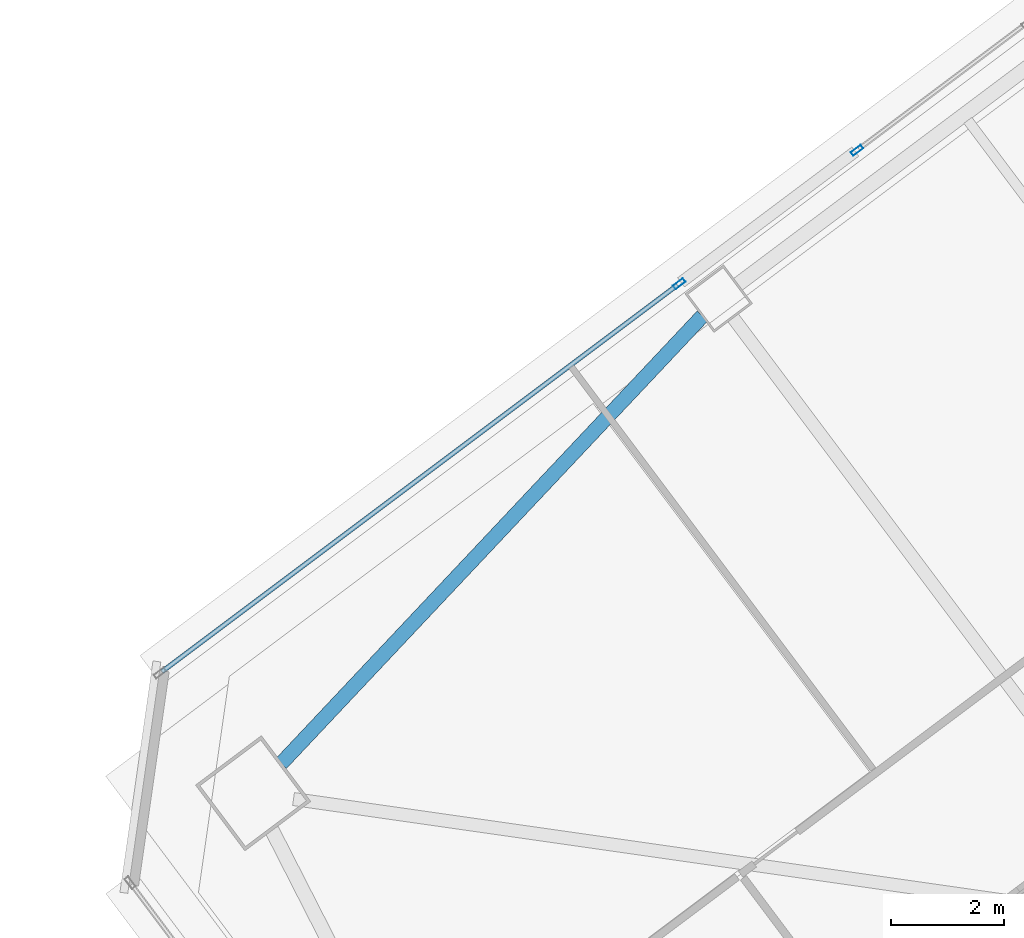
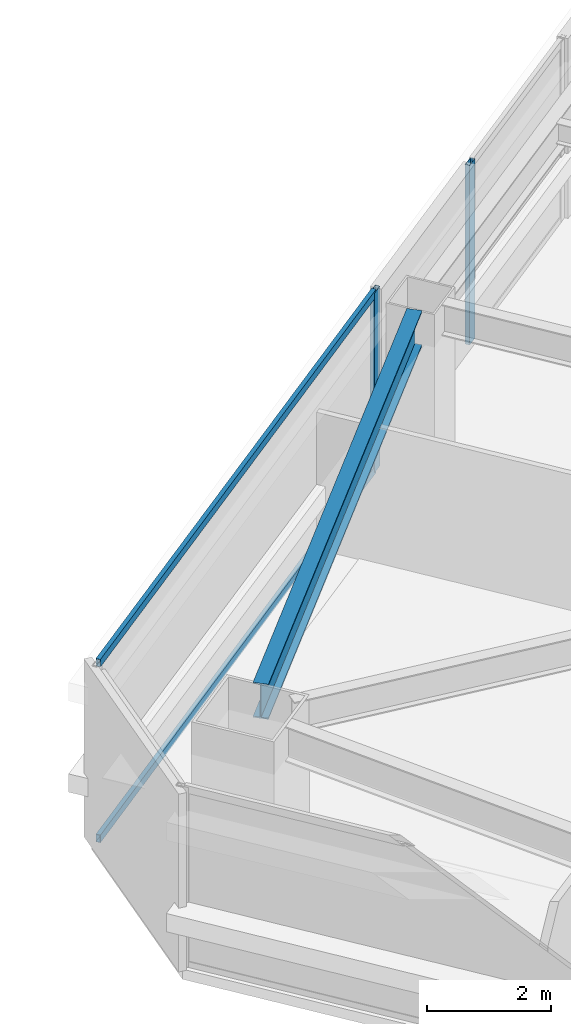
# One storey, part 27 of 46: 4 members, 1 beam, 2 elements without a shape of their own.
"""IFC4 building model written with IfcOpenShell, lengths in metres."""

from ifc_helpers import new_model, si_unit, direction, frame, origin, origin_2d, place, context, subcontext, project, spatial, hollow_rectangle, i_section, extrude, material, material_profile, profile_set, type_object, element, aggregate, save


model = new_model("IFC4")

# Units and contexts
model_context = context("Model", 3, precision=1e-05, world=origin(), true_north=direction((0.0, 1.0)))
body_context = subcontext(model_context, "Body", "Model", "MODEL_VIEW")
ifc_project = project(units=[si_unit("LENGTHUNIT", "METRE"), si_unit("AREAUNIT", "SQUARE_METRE"), si_unit("VOLUMEUNIT", "CUBIC_METRE"), si_unit("PLANEANGLEUNIT", "RADIAN"), si_unit("MASSUNIT", "GRAM", prefix="KILO")], contexts=[model_context])

# Site, building, storey
site_placement = place(None, origin())
site = spatial("IfcSite", under=ifc_project, at=site_placement, CompositionType="ELEMENT")
building_placement = place(site_placement, origin())
building = spatial("IfcBuilding", under=site, at=building_placement, Name="Tashvorn Skyway Center", CompositionType="ELEMENT")
storey_placement = place(building_placement, frame((0.0, 0.0, 99.14990234375)))
storey = spatial("IfcBuildingStorey", under=building, at=storey_placement, Name="L26", CompositionType="ELEMENT", Elevation=99.14990234375)

# Beam
ifc_material_1 = material(Name="Steel ASTM A992 Grade 50", Category="steel")
ifc_material_profile_1 = material_profile(ifc_material_1, i_section(OverallWidth=0.256103515625, OverallDepth=0.693115234375, WebThickness=0.014404296875, FlangeThickness=0.023681640625, at=origin_2d()), Name="W27X114")
ifc_profile_set_1 = profile_set([ifc_material_profile_1], Name="Steel ASTM A992 Grade 50")
beam_type = type_object("IfcBeamType", Name="BM-SPANDREL-W27X114", PredefinedType="SPANDREL", material=ifc_profile_set_1)
beam_placement = place(storey_placement, frame((97.842041015625, 43.854248046875, 3.003662109375), z_axis=(-0.685484857238, -0.728086883893, 0.0), x_axis=(0.728086883893, -0.685484857238, 0.0)))
element("IfcBeam", 1, at=beam_placement, inside=storey, type_object=beam_type, Name="Tower 2 L26 Spandrel Beam 09", PredefinedType="SPANDREL", context=body_context, shape_type="SweptSolid", body=[
    extrude(i_section(OverallWidth=0.256103515625, OverallDepth=0.693115234375, WebThickness=0.014404296875, FlangeThickness=0.023681640625, at=origin_2d()), origin(), (0.0, 0.0, 1.0), 10.8369140625),
])

# Curtain wall, member
ifc_material_2 = material(Name="Thermally broken bronze-anodized aluminium 6063-T6", Category="aluminium")
curtain_wall_type = type_object("IfcCurtainWallType", Name="CW-CW-Z2", PredefinedType="NOTDEFINED", material=ifc_material_2)
curtain_wall_1_placement = place(storey_placement, origin())
curtain_wall_1 = element("IfcCurtainWall", 2, at=curtain_wall_1_placement, inside=storey, type_object=curtain_wall_type, Name="Tower 2 L26 North Unitised Curtain Wall Glazing Group 1", PredefinedType="NOTDEFINED")
ifc_material_profile_2 = material_profile(ifc_material_2, hollow_rectangle(XDim=0.080078125, YDim=0.219970703125, WallThickness=0.0048828125, at=origin_2d()), Name="ALU-MULL-80x220")
ifc_profile_set_2 = profile_set([ifc_material_profile_2], Name="Thermally broken bronze-anodized aluminium 6063-T6")
member_type_1 = type_object("IfcMemberType", Name="CWM-CW-Z2", PredefinedType="MULLION", material=ifc_profile_set_2)
member_1_placement = place(storey_placement, frame((97.431884765625, 44.424072265625, 0.0), z_axis=(0.0, 0.0, 1.0), x_axis=(-0.600000000002, 0.799999999998, 0.0)))
member_1 = element("IfcMember", 3, at=member_1_placement, type_object=member_type_1, Name="CW-Z2 mullion 2", PredefinedType="MULLION", context=body_context, shape_type="SweptSolid", body=[
    extrude(hollow_rectangle(XDim=0.080078125, YDim=0.219970703125, WallThickness=0.0048828125, at=origin_2d()), origin(), (0.0, 0.0, 1.0), 3.550048828125),
])

curtain_wall_2_placement = place(storey_placement, origin())
curtain_wall_2 = element("IfcCurtainWall", 4, at=curtain_wall_2_placement, inside=storey, type_object=curtain_wall_type, Name="Tower 2 L26 North Unitised Curtain Wall Glazing Group 2", PredefinedType="NOTDEFINED")
member_2_placement = place(storey_placement, frame((100.568115234375, 46.77587890625, 0.0), z_axis=(0.0, 0.0, 1.0), x_axis=(-0.600000000002, 0.799999999998, 0.0)))
member_2 = element("IfcMember", 5, at=member_2_placement, type_object=member_type_1, Name="CW-Z2 mullion 1", PredefinedType="MULLION", context=body_context, shape_type="SweptSolid", body=[
    extrude(hollow_rectangle(XDim=0.080078125, YDim=0.219970703125, WallThickness=0.0048828125, at=origin_2d()), origin(), (0.0, 0.0, 1.0), 3.550048828125),
])
aggregate(curtain_wall_2, [member_2])

# Member
ifc_material_profile_3 = material_profile(ifc_material_2, hollow_rectangle(XDim=0.080078125, YDim=0.14990234375, WallThickness=0.00439453125, at=origin_2d()), Name="ALU-TRAN-80x150")
ifc_profile_set_3 = profile_set([ifc_material_profile_3], Name="Thermally broken bronze-anodized aluminium 6063-T6")
member_type_2 = type_object("IfcMemberType", Name="CWT-CW-Z2", PredefinedType="USERDEFINED", material=ifc_profile_set_3)
member_3_placement = place(storey_placement, frame((88.31201171875, 37.583984375, 0.0400390625), z_axis=(0.8, 0.6, 0.0), x_axis=(-0.6, 0.8, 0.0)))
member_3 = element("IfcMember", 6, at=member_3_placement, type_object=member_type_2, Name="CW-Z2 transom 1.1", ObjectType="TRANSOM", PredefinedType="USERDEFINED", context=body_context, shape_type="SweptSolid", body=[
    extrude(hollow_rectangle(XDim=0.080078125, YDim=0.14990234375, WallThickness=0.00439453125, at=origin_2d()), origin(), (0.0, 0.0, 1.0), 11.35986328125),
])

member_4_placement = place(storey_placement, frame((88.31201171875, 37.583984375, 3.510009765625), z_axis=(0.8, 0.6, 0.0), x_axis=(-0.6, 0.8, 0.0)))
member_4 = element("IfcMember", 7, at=member_4_placement, type_object=member_type_2, Name="CW-Z2 transom 1.2", ObjectType="TRANSOM", PredefinedType="USERDEFINED", context=body_context, shape_type="SweptSolid", body=[
    extrude(hollow_rectangle(XDim=0.080078125, YDim=0.14990234375, WallThickness=0.00439453125, at=origin_2d()), origin(), (0.0, 0.0, 1.0), 11.35986328125),
])

aggregate(curtain_wall_1, [member_1, member_3, member_4])

save(model, "model.ifc")
